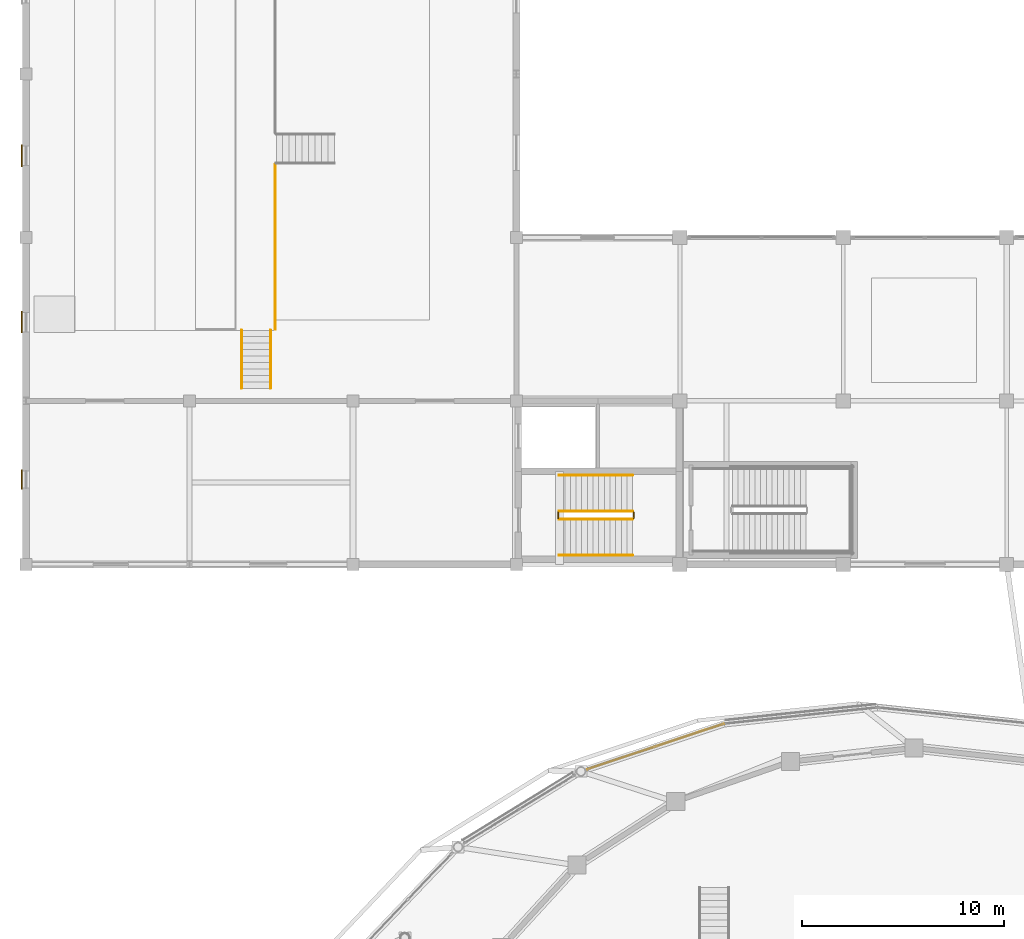
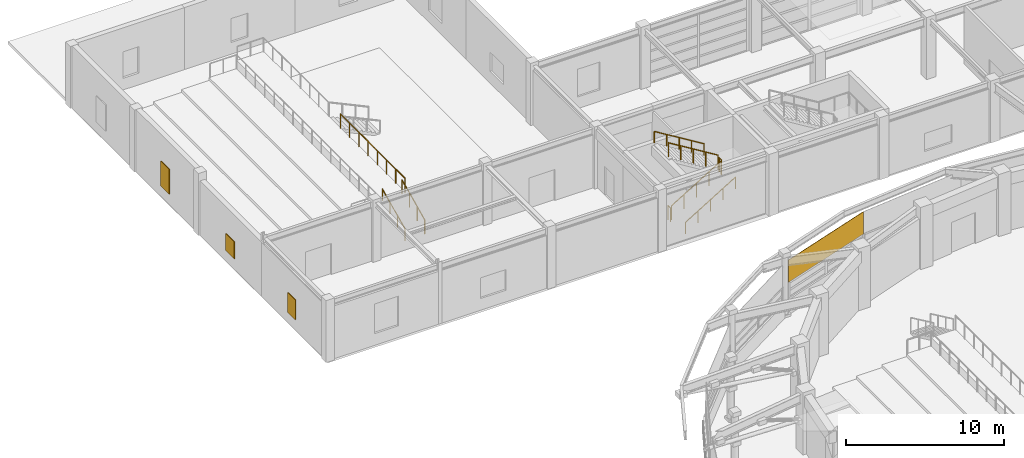
# One storey, part 50 of 56: 9 railings, 3 shading devices, 1 covering.
"""IFC4 building model written with IfcOpenShell, lengths in metres."""

from ifc_helpers import new_model, si_unit, direction, frame, origin, origin_2d, place, context, subcontext, project, spatial, rectangle, circle, extrude, material, layer, layer_set, type_object, element, save


model = new_model("IFC4")

# Units and contexts
model_context = context("Model", 3, precision=1e-05, world=origin(), true_north=direction((0.0, 1.0)))
body_context = subcontext(model_context, "Body", "Model", "MODEL_VIEW")
ifc_project = project(units=[si_unit("LENGTHUNIT", "METRE"), si_unit("AREAUNIT", "SQUARE_METRE"), si_unit("VOLUMEUNIT", "CUBIC_METRE"), si_unit("PLANEANGLEUNIT", "RADIAN"), si_unit("MASSUNIT", "GRAM", prefix="KILO")], contexts=[model_context])

# Site, building, storey
site_placement = place(None, origin())
site = spatial("IfcSite", under=ifc_project, at=site_placement, CompositionType="ELEMENT")
building_placement = place(site_placement, origin())
building = spatial("IfcBuilding", under=site, at=building_placement, Name="Parian Resonance Hall", CompositionType="ELEMENT")
storey_placement = place(building_placement, frame((0.0, 0.0, 5.39990234375)))
storey = spatial("IfcBuildingStorey", under=building, at=storey_placement, Name="L01", CompositionType="ELEMENT", Elevation=5.39990234375)

# Covering
ifc_material_1 = material(Name="Polychrome trencadis ceramic mosaic cladding")
ifc_layer_1 = layer(ifc_material_1, 0.030029296875)
ifc_layer_set_1 = layer_set([ifc_layer_1], Name="Polychrome trencadis ceramic mosaic cladding")
covering_type = type_object("IfcCoveringType", Name="COV-MOSAIC-CLAD", PredefinedType="CLADDING", material=ifc_layer_set_1)
covering_placement = place(storey_placement, frame((31.19970703125, 63.868408203125, 2.35498046875), z_axis=(0.0, 0.0, 1.0), x_axis=(0.948923930006, 0.315504952517, 0.0)))
element("IfcCovering", 1, at=covering_placement, inside=storey, type_object=covering_type, Name="Elliptical R1 upper mosaic frieze cladding 08", PredefinedType="CLADDING", context=body_context, shape_type="SweptSolid", body=[
    extrude(rectangle(XDim=7.147216796875, YDim=0.030029296875, at=origin_2d()), origin(), (0.0, 0.0, 1.0), 1.72509765625),
])

# Railings
ifc_material_2 = material(Name="Patinated bronze whiplash metalwork")
railing_type_1 = type_object("IfcRailingType", Name="RAIL-HALL-BAL-1120", PredefinedType="BALUSTRADE", material=ifc_material_2)
railing_1_placement = place(storey_placement, frame((12.360107421875, 84.5400390625, 1.5)))
element("IfcRailing", 2, at=railing_1_placement, inside=storey, type_object=railing_type_1, Name="Auditorium upper tier balustrade GRD-TIER-L01-CH-N", PredefinedType="BALUSTRADE", context=body_context, shape_type="SweptSolid", body=[
    extrude(circle(Radius=0.02392578125, at=origin_2d()), frame((0.0, 0.0, 1.09619140625), z_axis=(0.0, 1.0, 0.0), x_axis=(-1.0, 0.0, 0.0)), (0.0, 0.0, 1.0), 8.179931640625),
    extrude(circle(Radius=0.02099609375, at=origin_2d()), origin(), (0.0, 0.0, 1.0), 1.072021484375),
    extrude(circle(Radius=0.02099609375, at=origin_2d()), frame((0.0, 1.16845703125, 0.0)), (0.0, 0.0, 1.0), 1.072021484375),
    extrude(circle(Radius=0.02099609375, at=origin_2d()), frame((0.0, 2.337158203125, 0.0)), (0.0, 0.0, 1.0), 1.072021484375),
    extrude(circle(Radius=0.02099609375, at=origin_2d()), frame((0.0, 3.505615234375, 0.0)), (0.0, 0.0, 1.0), 1.072021484375),
    extrude(circle(Radius=0.02099609375, at=origin_2d()), frame((0.0, 4.67431640625, 0.0)), (0.0, 0.0, 1.0), 1.072021484375),
    extrude(circle(Radius=0.02099609375, at=origin_2d()), frame((0.0, 5.8427734375, 0.0)), (0.0, 0.0, 1.0), 1.072021484375),
    extrude(circle(Radius=0.02099609375, at=origin_2d()), frame((0.0, 7.011474609375, 0.0)), (0.0, 0.0, 1.0), 1.072021484375),
    extrude(circle(Radius=0.02099609375, at=origin_2d()), frame((0.0, 8.179931640625, 0.0)), (0.0, 0.0, 1.0), 1.072021484375),
])
ifc_material_3 = material(Name="Patinated bronze whiplash metalwork")
railing_type_2 = type_object("IfcRailingType", Name="RAIL-STAIR-GRD-1100", PredefinedType="GUARDRAIL", material=ifc_material_3)
railing_2_placement = place(storey_placement, frame((26.419921875, 75.1298828125, 0.171630859375)))
element("IfcRailing", 3, at=railing_2_placement, inside=storey, type_object=railing_type_2, Name="L01 ST-04 stair guard 1", PredefinedType="GUARDRAIL", context=body_context, shape_type="SweptSolid", body=[
    extrude(circle(Radius=0.02392578125, at=origin_2d()), frame((0.0, 0.0, 1.076171875), z_axis=(0.852865859571, 0.0, 0.52213008492), x_axis=(0.0, 1.0, 0.0)), (0.0, 0.0, 1.0), 4.26806640625),
    extrude(circle(Radius=0.02099609375, at=origin_2d()), origin(), (0.0, 0.0, 1.0), 1.052001953125),
    extrude(circle(Radius=0.02099609375, at=origin_2d()), frame((0.91015625, 0.0, 0.55712890625)), (0.0, 0.0, 1.0), 1.052001953125),
    extrude(circle(Radius=0.02099609375, at=origin_2d()), frame((1.820068359375, 0.0, 1.1142578125)), (0.0, 0.0, 1.0), 1.052001953125),
    extrude(circle(Radius=0.02099609375, at=origin_2d()), frame((2.72998046875, 0.0, 1.67138671875)), (0.0, 0.0, 1.0), 1.052001953125),
    extrude(circle(Radius=0.02099609375, at=origin_2d()), frame((3.64013671875, 0.0, 2.228515625)), (0.0, 0.0, 1.0), 1.052001953125),
])
railing_3_placement = place(storey_placement, frame((30.110107421875, 75.179931640625, 2.400146484375)))
element("IfcRailing", 4, at=railing_3_placement, inside=storey, type_object=railing_type_2, Name="L01 ST-04 stair guard 2", PredefinedType="GUARDRAIL", context=body_context, shape_type="SweptSolid", body=[
    extrude(circle(Radius=0.02392578125, at=origin_2d()), frame((0.0, 0.0, 1.076171875), z_axis=(0.0, 1.0, 0.0), x_axis=(-1.0, 0.0, 0.0)), (0.0, 0.0, 1.0), 0.300048828125),
    extrude(circle(Radius=0.02099609375, at=origin_2d()), origin(), (0.0, 0.0, 1.0), 1.052001953125),
    extrude(circle(Radius=0.02099609375, at=origin_2d()), frame((0.0, 0.300048828125, 0.0)), (0.0, 0.0, 1.0), 1.052001953125),
])
railing_4_placement = place(storey_placement, frame((30.06005859375, 75.530029296875, 2.571533203125)))
element("IfcRailing", 5, at=railing_4_placement, inside=storey, type_object=railing_type_2, Name="L01 ST-04 stair guard 3", PredefinedType="GUARDRAIL", context=body_context, shape_type="SweptSolid", body=[
    extrude(circle(Radius=0.02392578125, at=origin_2d()), frame((0.0, 0.0, 1.076171875), z_axis=(-0.852865859571, 0.0, 0.52213008492), x_axis=(0.0, -1.0, 0.0)), (0.0, 0.0, 1.0), 4.26806640625),
    extrude(circle(Radius=0.02099609375, at=origin_2d()), origin(), (0.0, 0.0, 1.0), 1.052001953125),
    extrude(circle(Radius=0.02099609375, at=origin_2d()), frame((-0.91015625, 0.0, 0.55712890625)), (0.0, 0.0, 1.0), 1.052001953125),
    extrude(circle(Radius=0.02099609375, at=origin_2d()), frame((-1.820068359375, 0.0, 1.1142578125)), (0.0, 0.0, 1.0), 1.052001953125),
    extrude(circle(Radius=0.02099609375, at=origin_2d()), frame((-2.72998046875, 0.0, 1.67138671875)), (0.0, 0.0, 1.0), 1.052001953125),
    extrude(circle(Radius=0.02099609375, at=origin_2d()), frame((-3.64013671875, 0.0, 2.228515625)), (0.0, 0.0, 1.0), 1.052001953125),
])
railing_5_placement = place(storey_placement, frame((26.3701171875, 75.179931640625, 0.0)))
element("IfcRailing", 6, at=railing_5_placement, inside=storey, type_object=railing_type_2, Name="L01 ST-04 stair guard 4", PredefinedType="GUARDRAIL", context=body_context, shape_type="SweptSolid", body=[
    extrude(circle(Radius=0.02392578125, at=origin_2d()), frame((0.0, 0.0, 1.076171875), z_axis=(0.0, 1.0, 0.0), x_axis=(-1.0, 0.0, 0.0)), (0.0, 0.0, 1.0), 0.300048828125),
    extrude(circle(Radius=0.02099609375, at=origin_2d()), origin(), (0.0, 0.0, 1.0), 1.052001953125),
    extrude(circle(Radius=0.02099609375, at=origin_2d()), frame((0.0, 0.300048828125, 0.0)), (0.0, 0.0, 1.0), 1.052001953125),
])
railing_6_placement = place(storey_placement, frame((12.1201171875, 81.6201171875, 0.150146484375)))
element("IfcRailing", 7, at=railing_6_placement, inside=storey, type_object=railing_type_2, Name="Auditorium aisle guard ST-T03", PredefinedType="GUARDRAIL", context=body_context, shape_type="SweptSolid", body=[
    extrude(circle(Radius=0.02392578125, at=origin_2d()), frame((0.0, 0.0, 1.076171875), z_axis=(0.0, 0.905469998052, 0.424410276299), x_axis=(-1.0, 0.0, 0.0)), (0.0, 0.0, 1.0), 3.180419921875),
    extrude(circle(Radius=0.02099609375, at=origin_2d()), origin(), (0.0, 0.0, 1.0), 1.052001953125),
    extrude(circle(Radius=0.02099609375, at=origin_2d()), frame((0.0, 0.9599609375, 0.449951171875)), (0.0, 0.0, 1.0), 1.052001953125),
    extrude(circle(Radius=0.02099609375, at=origin_2d()), frame((0.0, 1.919921875, 0.89990234375)), (0.0, 0.0, 1.0), 1.052001953125),
    extrude(circle(Radius=0.02099609375, at=origin_2d()), frame((0.0, 2.8798828125, 1.349853515625)), (0.0, 0.0, 1.0), 1.052001953125),
])
ifc_material_4 = material(Name="Patinated bronze whiplash metalwork")
railing_type_3 = type_object("IfcRailingType", Name="RAIL-STAIR-HR-900", PredefinedType="HANDRAIL", material=ifc_material_4)
railing_7_placement = place(storey_placement, frame((26.419921875, 73.35009765625, 0.171630859375)))
element("IfcRailing", 8, at=railing_7_placement, inside=storey, type_object=railing_type_3, Name="L01 ST-04 stair handrail 1", PredefinedType="HANDRAIL", context=body_context, shape_type="SweptSolid", body=[
    extrude(circle(Radius=0.02392578125, at=origin_2d()), frame((0.0, 0.0, 0.8759765625), z_axis=(0.852865859571, 0.0, 0.52213008492), x_axis=(0.0, 1.0, 0.0)), (0.0, 0.0, 1.0), 4.26806640625),
    extrude(circle(Radius=0.02099609375, at=origin_2d()), origin(), (0.0, 0.0, 1.0), 0.851806640625),
    extrude(circle(Radius=0.02099609375, at=origin_2d()), frame((0.91015625, 0.0, 0.55712890625)), (0.0, 0.0, 1.0), 0.851806640625),
    extrude(circle(Radius=0.02099609375, at=origin_2d()), frame((1.820068359375, 0.0, 1.1142578125)), (0.0, 0.0, 1.0), 0.851806640625),
    extrude(circle(Radius=0.02099609375, at=origin_2d()), frame((2.72998046875, 0.0, 1.67138671875)), (0.0, 0.0, 1.0), 0.851806640625),
    extrude(circle(Radius=0.02099609375, at=origin_2d()), frame((3.64013671875, 0.0, 2.228515625)), (0.0, 0.0, 1.0), 0.851806640625),
])
railing_8_placement = place(storey_placement, frame((30.06005859375, 77.31005859375, 2.571533203125)))
element("IfcRailing", 9, at=railing_8_placement, inside=storey, type_object=railing_type_3, Name="L01 ST-04 stair handrail 2", PredefinedType="HANDRAIL", context=body_context, shape_type="SweptSolid", body=[
    extrude(circle(Radius=0.02392578125, at=origin_2d()), frame((0.0, 0.0, 0.8759765625), z_axis=(-0.852865859571, 0.0, 0.52213008492), x_axis=(0.0, -1.0, 0.0)), (0.0, 0.0, 1.0), 4.26806640625),
    extrude(circle(Radius=0.02099609375, at=origin_2d()), origin(), (0.0, 0.0, 1.0), 0.851806640625),
    extrude(circle(Radius=0.02099609375, at=origin_2d()), frame((-0.91015625, 0.0, 0.55712890625)), (0.0, 0.0, 1.0), 0.851806640625),
    extrude(circle(Radius=0.02099609375, at=origin_2d()), frame((-1.820068359375, 0.0, 1.1142578125)), (0.0, 0.0, 1.0), 0.851806640625),
    extrude(circle(Radius=0.02099609375, at=origin_2d()), frame((-2.72998046875, 0.0, 1.67138671875)), (0.0, 0.0, 1.0), 0.851806640625),
    extrude(circle(Radius=0.02099609375, at=origin_2d()), frame((-3.64013671875, 0.0, 2.228515625)), (0.0, 0.0, 1.0), 0.851806640625),
])
railing_9_placement = place(storey_placement, frame((10.679931640625, 81.6201171875, 0.150146484375)))
element("IfcRailing", 10, at=railing_9_placement, inside=storey, type_object=railing_type_3, Name="Auditorium aisle handrail ST-T03", PredefinedType="HANDRAIL", context=body_context, shape_type="SweptSolid", body=[
    extrude(circle(Radius=0.02392578125, at=origin_2d()), frame((0.0, 0.0, 0.8759765625), z_axis=(0.0, 0.905469998052, 0.424410276299), x_axis=(-1.0, 0.0, 0.0)), (0.0, 0.0, 1.0), 3.180419921875),
    extrude(circle(Radius=0.02099609375, at=origin_2d()), origin(), (0.0, 0.0, 1.0), 0.851806640625),
    extrude(circle(Radius=0.02099609375, at=origin_2d()), frame((0.0, 0.9599609375, 0.449951171875)), (0.0, 0.0, 1.0), 0.851806640625),
    extrude(circle(Radius=0.02099609375, at=origin_2d()), frame((0.0, 1.919921875, 0.89990234375)), (0.0, 0.0, 1.0), 0.851806640625),
    extrude(circle(Radius=0.02099609375, at=origin_2d()), frame((0.0, 2.8798828125, 1.349853515625)), (0.0, 0.0, 1.0), 0.851806640625),
])

# Shading devices
ifc_material_5 = material(Name="Patinated bronze persiana louver")
ifc_layer_2 = layer(ifc_material_5, 0.06005859375)
ifc_layer_set_2 = layer_set([ifc_layer_2], Name="Patinated bronze persiana louver")
shading_device_type = type_object("IfcShadingDeviceType", Name="SHD-PERSIANA-SHT", PredefinedType="SHUTTER", material=ifc_layer_set_2)
shading_device_1_placement = place(storey_placement, frame((-0.2080078125, 77.10009765625, 0.85986328125), z_axis=(0.0, 0.0, 1.0), x_axis=(0.0, 1.0, 0.0)))
element("IfcShadingDevice", 11, at=shading_device_1_placement, inside=storey, type_object=shading_device_type, Name="Bronze operable persiana shutter L01-008", PredefinedType="SHUTTER", context=body_context, shape_type="SweptSolid", body=[
    extrude(rectangle(XDim=0.969970703125, YDim=0.06005859375, at=origin_2d()), origin(), (0.0, 0.0, 1.0), 1.530029296875),
])
shading_device_2_placement = place(storey_placement, frame((-0.2080078125, 84.89990234375, 0.860107421875), z_axis=(0.0, 0.0, 1.0), x_axis=(0.0, 1.0, 0.0)))
element("IfcShadingDevice", 12, at=shading_device_2_placement, inside=storey, type_object=shading_device_type, Name="Bronze operable persiana shutter L01-010", PredefinedType="SHUTTER", context=body_context, shape_type="SweptSolid", body=[
    extrude(rectangle(XDim=1.070068359375, YDim=0.06005859375, at=origin_2d()), origin(), (0.0, 0.0, 1.0), 1.330078125),
])
shading_device_3_placement = place(storey_placement, frame((-0.2080078125, 93.14990234375, 0.8603515625), z_axis=(0.0, 0.0, 1.0), x_axis=(0.0, 1.0, 0.0)))
element("IfcShadingDevice", 13, at=shading_device_3_placement, inside=storey, type_object=shading_device_type, Name="Bronze operable persiana shutter L01-012", PredefinedType="SHUTTER", context=body_context, shape_type="SweptSolid", body=[
    extrude(rectangle(XDim=1.070068359375, YDim=0.06005859375, at=origin_2d()), origin(), (0.0, 0.0, 1.0), 1.929931640625),
])

save(model, "model.ifc")
